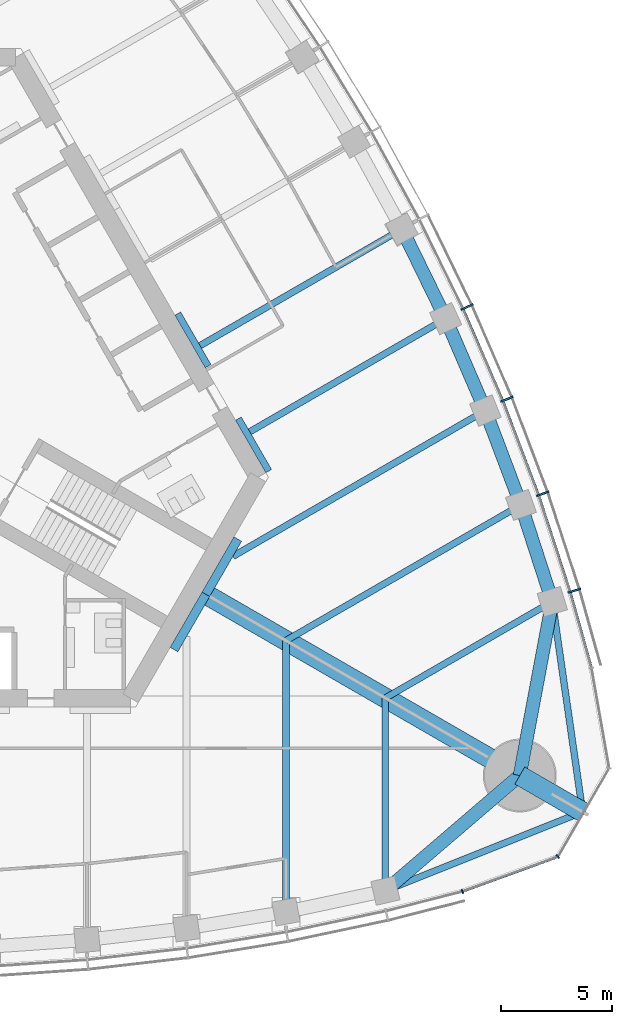
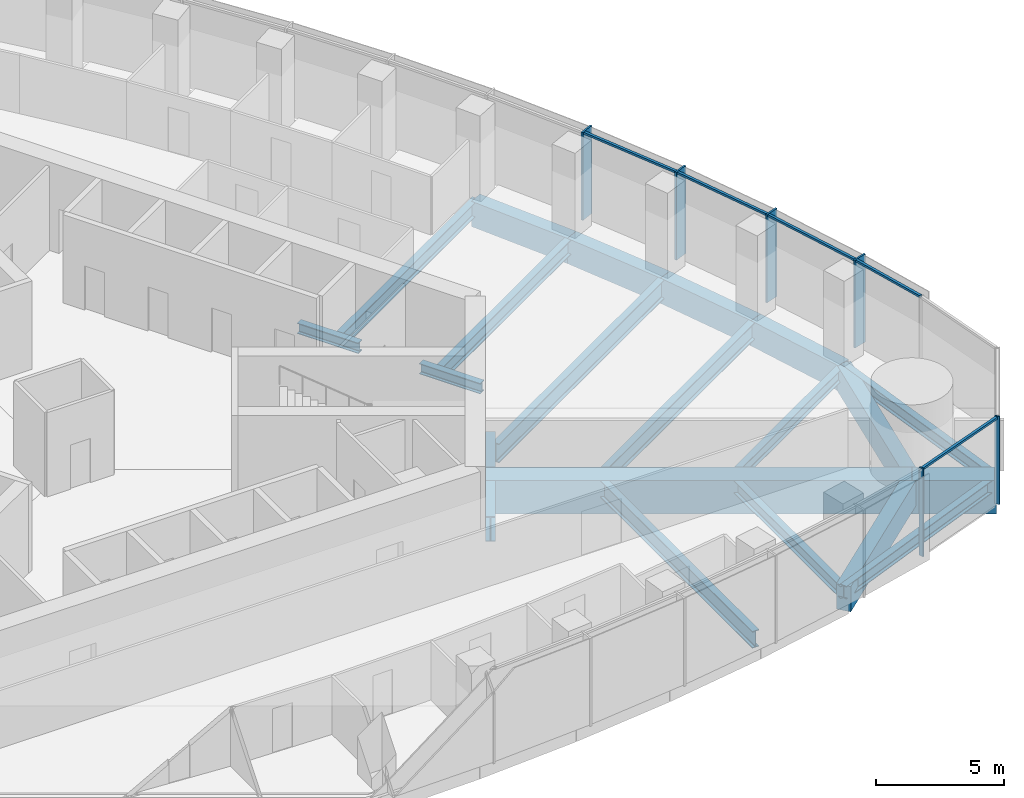
# One storey, part 4 of 20: 21 beams, 11 members, 2 elements without a shape of their own.
"""IFC4 building model written with IfcOpenShell, lengths in metres."""

from ifc_helpers import new_model, si_unit, direction, frame, origin, origin_2d, place, context, subcontext, project, spatial, rectangle, i_section, extrude, material, material_profile, profile_set, type_object, element, aggregate, save


model = new_model("IFC4")

# Units and contexts
model_context = context("Model", 3, precision=1e-05, world=origin(), true_north=direction((0.0, 1.0)))
body_context = subcontext(model_context, "Body", "Model", "MODEL_VIEW")
ifc_project = project(units=[si_unit("LENGTHUNIT", "METRE"), si_unit("AREAUNIT", "SQUARE_METRE"), si_unit("VOLUMEUNIT", "CUBIC_METRE"), si_unit("PLANEANGLEUNIT", "RADIAN"), si_unit("MASSUNIT", "GRAM", prefix="KILO")], contexts=[model_context])

# Site, building, storey
site_placement = place(None, origin())
site = spatial("IfcSite", under=ifc_project, at=site_placement, CompositionType="ELEMENT")
building_placement = place(site_placement, origin())
building = spatial("IfcBuilding", under=site, at=building_placement, Name="Trefoil Bronze Tower", CompositionType="ELEMENT")
storey_placement = place(building_placement, frame((0.0, 0.0, 219.10009765625)))
storey = spatial("IfcBuildingStorey", under=building, at=storey_placement, Name="L50", CompositionType="ELEMENT", Elevation=219.10009765625)

# Curtain wall, members
ifc_material_1 = material(Name="Tinted solar-control glass", Category="glass")
curtain_wall_type_1 = type_object("IfcCurtainWallType", Name="Bronze office curtain wall", PredefinedType="USERDEFINED", material=ifc_material_1)
curtain_wall_1_placement = place(storey_placement, origin())
curtain_wall_1 = element("IfcCurtainWall", 1, at=curtain_wall_1_placement, inside=storey, type_object=curtain_wall_type_1, Name="CW-A L50 F2", ObjectType="CURTAIN WALL", PredefinedType="USERDEFINED")
ifc_material_2 = material(Name="Bronze-finish aluminium", Category="aluminium")
ifc_material_profile_1 = material_profile(ifc_material_2, rectangle(XDim=0.60009765625, YDim=0.080078125, at=origin_2d()), Name="CW-A mullion")
ifc_profile_set_1 = profile_set([ifc_material_profile_1], Name="Bronze-finish aluminium")
member_type_1 = type_object("IfcMemberType", Name="Bronze office curtain wall mullion", PredefinedType="MULLION", material=ifc_profile_set_1)
member_1_placement = place(storey_placement, frame((31.05029296875, -8.132568359375, 0.0), z_axis=(0.0, 0.0, 1.0), x_axis=(-0.95694224323, -0.290278389002, 0.0)))
member_1 = element("IfcMember", 2, at=member_1_placement, type_object=member_type_1, Name="CW-A L50 F2 mullion 2", PredefinedType="MULLION", context=body_context, shape_type="SweptSolid", body=[
    extrude(rectangle(XDim=0.60009765625, YDim=0.080078125, at=origin_2d()), origin(), (0.0, 0.0, 1.0), 4.179931640625),
])
member_2_placement = place(storey_placement, frame((29.619873046875, -3.747314453125, 0.0), z_axis=(0.0, 0.0, 1.0), x_axis=(-0.943180077746, -0.332282020191, 0.0)))
member_2 = element("IfcMember", 3, at=member_2_placement, type_object=member_type_1, Name="CW-A L50 F2 mullion 3", PredefinedType="MULLION", context=body_context, shape_type="SweptSolid", body=[
    extrude(rectangle(XDim=0.60009765625, YDim=0.080078125, at=origin_2d()), origin(), (0.0, 0.0, 1.0), 4.179931640625),
])
member_3_placement = place(storey_placement, frame((27.999755859375, 0.529541015625, 0.0), z_axis=(0.0, 0.0, 1.0), x_axis=(-0.926689348282, -0.375828221106, 0.0)))
member_3 = element("IfcMember", 4, at=member_3_placement, type_object=member_type_1, Name="CW-A L50 F2 mullion 4", PredefinedType="MULLION", context=body_context, shape_type="SweptSolid", body=[
    extrude(rectangle(XDim=0.60009765625, YDim=0.080078125, at=origin_2d()), origin(), (0.0, 0.0, 1.0), 4.179931640625),
])
member_4_placement = place(storey_placement, frame((26.19482421875, 4.699462890625, 0.0), z_axis=(0.0, 0.0, 1.0), x_axis=(-0.908315380354, -0.418285990457, 0.0)))
member_4 = element("IfcMember", 5, at=member_4_placement, type_object=member_type_1, Name="CW-A L50 F2 mullion 5", PredefinedType="MULLION", context=body_context, shape_type="SweptSolid", body=[
    extrude(rectangle(XDim=0.60009765625, YDim=0.080078125, at=origin_2d()), origin(), (0.0, 0.0, 1.0), 4.179931640625),
])
ifc_material_3 = material(Name="Bronze-finish aluminium", Category="aluminium")
ifc_material_profile_2 = material_profile(ifc_material_3, rectangle(XDim=0.1201171875, YDim=0.10009765625, at=origin_2d()), Name="CW-A transom")
ifc_profile_set_2 = profile_set([ifc_material_profile_2], Name="Bronze-finish aluminium")
member_type_2 = type_object("IfcMemberType", Name="Bronze office curtain wall transom", PredefinedType="USERDEFINED", material=ifc_profile_set_2)
member_5_placement = place(storey_placement, frame((31.81201171875, -11.585205078125, 4.1298828125), z_axis=(-0.270284880437, 0.962780392097, 0.0), x_axis=(-0.962780392097, -0.270284880437, 0.0)))
member_5 = element("IfcMember", 6, at=member_5_placement, type_object=member_type_2, Name="CW-A L50 F2 transom 1", ObjectType="TRANSOM", PredefinedType="USERDEFINED", context=body_context, shape_type="SweptSolid", body=[
    extrude(rectangle(XDim=0.1201171875, YDim=0.10009765625, at=origin_2d()), origin(), (0.0, 0.0, 1.0), 3.48388671875),
])
member_6_placement = place(storey_placement, frame((30.845947265625, -8.150634765625, 4.1298828125), z_axis=(-0.310127806788, 0.950694874004, 0.0), x_axis=(-0.950694874004, -0.310127806788, 0.0)))
member_6 = element("IfcMember", 7, at=member_6_placement, type_object=member_type_2, Name="CW-A L50 F2 transom 2", ObjectType="TRANSOM", PredefinedType="USERDEFINED", context=body_context, shape_type="SweptSolid", body=[
    extrude(rectangle(XDim=0.1201171875, YDim=0.10009765625, at=origin_2d()), origin(), (0.0, 0.0, 1.0), 4.51953125),
])
member_7_placement = place(storey_placement, frame((29.416259765625, -3.774169921875, 4.1298828125), z_axis=(-0.354263170896, 0.935145767112, 0.0), x_axis=(-0.935145767112, -0.354263170896, 0.0)))
member_7 = element("IfcMember", 8, at=member_7_placement, type_object=member_type_2, Name="CW-A L50 F2 transom 3", ObjectType="TRANSOM", PredefinedType="USERDEFINED", context=body_context, shape_type="SweptSolid", body=[
    extrude(rectangle(XDim=0.1201171875, YDim=0.10009765625, at=origin_2d()), origin(), (0.0, 0.0, 1.0), 4.4794921875),
])
member_8_placement = place(storey_placement, frame((27.797607421875, 0.4931640625, 4.1298828125), z_axis=(-0.397220936772, 0.917723012346, 0.0), x_axis=(-0.917723012346, -0.397220936772, 0.0)))
member_8 = element("IfcMember", 9, at=member_8_placement, type_object=member_type_2, Name="CW-A L50 F2 transom 4", ObjectType="TRANSOM", PredefinedType="USERDEFINED", context=body_context, shape_type="SweptSolid", body=[
    extrude(rectangle(XDim=0.1201171875, YDim=0.10009765625, at=origin_2d()), origin(), (0.0, 0.0, 1.0), 4.449951171875),
])
aggregate(curtain_wall_1, [member_1, member_2, member_3, member_4, member_5, member_6, member_7, member_8])

ifc_material_4 = material(Name="Tinted solar-control glass", Category="glass")
curtain_wall_type_2 = type_object("IfcCurtainWallType", Name="Bronze rounded corner curtain wall", PredefinedType="USERDEFINED", material=ifc_material_4)
curtain_wall_2_placement = place(storey_placement, origin())
curtain_wall_2 = element("IfcCurtainWall", 10, at=curtain_wall_2_placement, inside=storey, type_object=curtain_wall_type_2, Name="CW-B L50 K1", ObjectType="CURTAIN WALL", PredefinedType="USERDEFINED")
ifc_material_5 = material(Name="Bronze-finish aluminium", Category="aluminium")
ifc_material_profile_3 = material_profile(ifc_material_5, rectangle(XDim=0.199951171875, YDim=0.06005859375, at=origin_2d()), Name="CW-B mullion")
ifc_profile_set_3 = profile_set([ifc_material_profile_3], Name="Bronze-finish aluminium")
member_type_3 = type_object("IfcMemberType", Name="Bronze rounded corner curtain wall mullion", PredefinedType="MULLION", material=ifc_profile_set_3)
member_9_placement = place(storey_placement, frame((25.9873046875, -21.74462890625, 0.0), z_axis=(0.0, 0.0, 1.0), x_axis=(-0.342020143326, 0.939692620786, 0.0)))
member_9 = element("IfcMember", 11, at=member_9_placement, type_object=member_type_3, Name="CW-B L50 K1 mullion 1", PredefinedType="MULLION", context=body_context, shape_type="SweptSolid", body=[
    extrude(rectangle(XDim=0.199951171875, YDim=0.06005859375, at=origin_2d()), origin(), (0.0, 0.0, 1.0), 4.179931640625),
])
member_10_placement = place(storey_placement, frame((30.302490234375, -20.16748046875, 0.0), z_axis=(0.0, 0.0, 1.0), x_axis=(-0.642787609687, 0.766044443119, 0.0)))
member_10 = element("IfcMember", 12, at=member_10_placement, type_object=member_type_3, Name="CW-B L50 K1 mullion 2", PredefinedType="MULLION", context=body_context, shape_type="SweptSolid", body=[
    extrude(rectangle(XDim=0.199951171875, YDim=0.06005859375, at=origin_2d()), origin(), (0.0, 0.0, 1.0), 4.179931640625),
])
ifc_material_6 = material(Name="Bronze-finish aluminium", Category="aluminium")
ifc_material_profile_4 = material_profile(ifc_material_6, rectangle(XDim=0.1201171875, YDim=0.10009765625, at=origin_2d()), Name="CW-B transom")
ifc_profile_set_4 = profile_set([ifc_material_profile_4], Name="Bronze-finish aluminium")
member_type_4 = type_object("IfcMemberType", Name="Bronze rounded corner curtain wall transom", PredefinedType="USERDEFINED", material=ifc_profile_set_4)
member_11_placement = place(storey_placement, frame((26.015380859375, -21.734375, 4.1298828125), z_axis=(0.939680910753, 0.342052314664, 0.0), x_axis=(-0.342052314664, 0.939680910753, 0.0)))
member_11 = element("IfcMember", 13, at=member_11_placement, type_object=member_type_4, Name="CW-B L50 K1 transom 1", ObjectType="TRANSOM", PredefinedType="USERDEFINED", context=body_context, shape_type="SweptSolid", body=[
    extrude(rectangle(XDim=0.1201171875, YDim=0.10009765625, at=origin_2d()), origin(), (0.0, 0.0, 1.0), 4.500244140625),
])
aggregate(curtain_wall_2, [member_9, member_10, member_11])

# Beams
ifc_material_7 = material(Name="Steel C355", Category="steel")
ifc_material_profile_5 = material_profile(ifc_material_7, i_section(OverallWidth=0.300048828125, OverallDepth=0.5, WebThickness=0.014404296875, FlangeThickness=0.028076171875, FilletRadius=0.027099609375, at=origin_2d()), Name="HEB 500")
ifc_profile_set_5 = profile_set([ifc_material_profile_5], Name="Steel C355")
beam_type_1 = type_object("IfcBeamType", Name="Core seat beam HEB 500", PredefinedType="BEAM", material=ifc_profile_set_5)
for number, where, z_axis, x_axis, name in (
    (14, (17.219482421875, -2.72509765625, -0.4501953125), (-0.500035825175, 0.866004719122, 0.0), (-0.866004719122, -0.500035825175, 0.0), "Core seat beam F2/-2 L50"),
    (15, (14.47705078125, 2.02490234375, -0.4501953125), (-0.499969057507, 0.866043267704, 0.0), (-0.866043267704, -0.499969057507, 0.0), "Core seat beam F2/-1 L50"),
):
    element("IfcBeam", number, at=place(storey_placement, frame(where, z_axis=z_axis, x_axis=x_axis)), inside=storey, type_object=beam_type_1, Name=name, PredefinedType="BEAM", context=body_context, shape_type="SweptSolid", body=[
        extrude(i_section(OverallWidth=0.300048828125, OverallDepth=0.5, WebThickness=0.014404296875, FlangeThickness=0.028076171875, FilletRadius=0.027099609375, at=origin_2d()), origin(), (0.0, 0.0, 1.0), 2.742431640625),
    ])
ifc_material_8 = material(Name="Steel C355", Category="steel")
ifc_material_profile_6 = material_profile(ifc_material_8, i_section(OverallWidth=0.39990234375, OverallDepth=1.199951171875, WebThickness=0.02001953125, FlangeThickness=0.0400390625, FilletRadius=0.010009765625, at=origin_2d()), Name="WPG 1200")
ifc_profile_set_6 = profile_set([ifc_material_profile_6], Name="Steel C355")
beam_type_2 = type_object("IfcBeamType", Name="Core seat beam WPG 1200", PredefinedType="BEAM", material=ifc_profile_set_6)
for number, where, z_axis, x_axis, name in (
    (16, (12.9326171875, -10.800048828125, -0.800048828125), (0.499995765644, 0.866027848477, 0.0), (-0.866027848477, 0.499995765644, 0.0), "Core seat beam F1/+3 L50"),
    (17, (14.3759765625, -8.300048828125, -0.800048828125), (0.499995765644, 0.866027848477, 0.0), (-0.866027848477, 0.499995765644, 0.0), "Core seat beam F2/-3 L50"),
):
    element("IfcBeam", number, at=place(storey_placement, frame(where, z_axis=z_axis, x_axis=x_axis)), inside=storey, type_object=beam_type_2, Name=name, PredefinedType="BEAM", context=body_context, shape_type="SweptSolid", body=[
        extrude(i_section(OverallWidth=0.39990234375, OverallDepth=1.199951171875, WebThickness=0.02001953125, FlangeThickness=0.0400390625, FilletRadius=0.010009765625, at=origin_2d()), origin(), (0.0, 0.0, 1.0), 2.88671875),
    ])
ifc_material_9 = material(Name="Concrete B80", Category="concrete")
ifc_material_profile_7 = material_profile(ifc_material_9, rectangle(XDim=0.89990234375, YDim=1.60009765625, at=origin_2d()), Name="RC 900x1600")
ifc_profile_set_7 = profile_set([ifc_material_profile_7], Name="Concrete B80")
beam_type_3 = type_object("IfcBeamType", Name="Corner cantilever RC 900x1600", PredefinedType="BEAM", material=ifc_profile_set_7)
beam_1_placement = place(storey_placement, frame((28.578857421875, -16.5, -1.0), z_axis=(0.866016004958, -0.500016278891, 0.0), x_axis=(0.500016278891, 0.866016004958, 0.0)))
element("IfcBeam", 18, at=beam_1_placement, inside=storey, type_object=beam_type_3, Name="Corner cantilever K1 L50", PredefinedType="BEAM", context=body_context, shape_type="SweptSolid", body=[
    extrude(rectangle(XDim=0.89990234375, YDim=1.60009765625, at=origin_2d()), origin(), (0.0, 0.0, 1.0), 3.28466796875),
])
ifc_material_10 = material(Name="Steel C355", Category="steel")
ifc_material_profile_8 = material_profile(ifc_material_10, i_section(OverallWidth=0.300048828125, OverallDepth=0.60009765625, WebThickness=0.015380859375, FlangeThickness=0.030029296875, FilletRadius=0.027099609375, at=origin_2d()), Name="HEB 600")
ifc_profile_set_8 = profile_set([ifc_material_profile_8], Name="Steel C355")
beam_type_4 = type_object("IfcBeamType", Name="Corner edge beam HEB 600", PredefinedType="BEAM", material=ifc_profile_set_8)
for number, where, z_axis, x_axis, name in (
    (19, (22.5, -21.71044921875, -0.5), (0.92852048463, 0.371281173266, 0.0), (-0.371281173266, 0.92852048463, 0.0), "Corner edge beam F1A L50"),
    (20, (30.052001953125, -8.63037109375, -0.5), (0.142694489722, -0.989766781925, 0.0), (0.989766781925, 0.142694489722, 0.0), "Corner edge beam F2B L50"),
):
    element("IfcBeam", number, at=place(storey_placement, frame(where, z_axis=z_axis, x_axis=x_axis)), inside=storey, type_object=beam_type_4, Name=name, PredefinedType="BEAM", context=body_context, shape_type="SweptSolid", body=[
        extrude(i_section(OverallWidth=0.300048828125, OverallDepth=0.60009765625, WebThickness=0.015380859375, FlangeThickness=0.030029296875, FilletRadius=0.027099609375, at=origin_2d()), origin(), (0.0, 0.0, 1.0), 9.6103515625),
    ])
ifc_material_11 = material(Name="Concrete B80", Category="concrete")
ifc_material_profile_9 = material_profile(ifc_material_11, rectangle(XDim=0.89990234375, YDim=1.60009765625, at=origin_2d()), Name="RC 900x1600")
ifc_profile_set_9 = profile_set([ifc_material_profile_9], Name="Concrete B80")
beam_type_5 = type_object("IfcBeamType", Name="Corner girder RC 900x1600", PredefinedType="BEAM", material=ifc_profile_set_9)
beam_2_placement = place(storey_placement, frame((14.202880859375, -8.199951171875, -1.0), z_axis=(0.866023450265, -0.500003383579, 0.0), x_axis=(0.500003383579, 0.866023450265, 0.0)))
element("IfcBeam", 21, at=beam_2_placement, inside=storey, type_object=beam_type_5, Name="Corner girder K1 L50", PredefinedType="BEAM", context=body_context, shape_type="SweptSolid", body=[
    extrude(rectangle(XDim=0.89990234375, YDim=1.60009765625, at=origin_2d()), origin(), (0.0, 0.0, 1.0), 16.60009765625),
])
ifc_material_12 = material(Name="Concrete B80", Category="concrete")
ifc_material_profile_10 = material_profile(ifc_material_12, rectangle(XDim=0.60009765625, YDim=1.199951171875, at=origin_2d()), Name="RC 600x1200")
ifc_profile_set_10 = profile_set([ifc_material_profile_10], Name="Concrete B80")
beam_type_6 = type_object("IfcBeamType", Name="End spandrel beam RC 600x1200", PredefinedType="SPANDREL", material=ifc_profile_set_10)
for number, where, z_axis, x_axis, name in (
    (22, (22.5, -21.71044921875, -0.800048828125), (0.759256602365, 0.650791373456, 0.0), (-0.650791373456, 0.759256602365, 0.0), "Spandrel F1.12 L50"),
    (23, (28.578857421875, -16.5, -0.800048828125), (0.18399763073, 0.982926686933, 0.0), (-0.982926686933, 0.18399763073, 0.0), "Spandrel F2.1 L50"),
):
    element("IfcBeam", number, at=place(storey_placement, frame(where, z_axis=z_axis, x_axis=x_axis)), inside=storey, type_object=beam_type_6, Name=name, PredefinedType="SPANDREL", context=body_context, shape_type="SweptSolid", body=[
        extrude(rectangle(XDim=0.60009765625, YDim=1.199951171875, at=origin_2d()), origin(), (0.0, 0.0, 1.0), 8.00634765625),
    ])
ifc_material_13 = material(Name="Steel C355", Category="steel")
ifc_material_profile_11 = material_profile(ifc_material_13, i_section(OverallWidth=0.300048828125, OverallDepth=0.590087890625, WebThickness=0.012939453125, FlangeThickness=0.02490234375, FilletRadius=0.027099609375, at=origin_2d()), Name="HEA 600")
ifc_profile_set_11 = profile_set([ifc_material_profile_11], Name="Steel C355")
beam_type_7 = type_object("IfcBeamType", Name="Floor beam HEA 600", PredefinedType="BEAM", material=ifc_profile_set_11)
beam_3_placement = place(storey_placement, frame((22.5, -21.71044921875, -0.4951171875), z_axis=(0.0, 1.0, 0.0), x_axis=(-1.0, 0.0, 0.0)))
element("IfcBeam", 24, at=beam_3_placement, inside=storey, type_object=beam_type_7, Name="Floor beam F1/+5 L50", PredefinedType="BEAM", context=body_context, shape_type="SweptSolid", body=[
    extrude(i_section(OverallWidth=0.300048828125, OverallDepth=0.590087890625, WebThickness=0.012939453125, FlangeThickness=0.02490234375, FilletRadius=0.027099609375, at=origin_2d()), origin(), (0.0, 0.0, 1.0), 8.719970703125),
])
beam_4_placement = place(storey_placement, frame((30.052001953125, -8.63037109375, -0.4951171875), z_axis=(-0.866027535932, -0.499996306993, 0.0), x_axis=(0.499996306993, -0.866027535932, 0.0)))
element("IfcBeam", 25, at=beam_4_placement, inside=storey, type_object=beam_type_7, Name="Floor beam F2/-5 L50", PredefinedType="BEAM", context=body_context, shape_type="SweptSolid", body=[
    extrude(i_section(OverallWidth=0.300048828125, OverallDepth=0.590087890625, WebThickness=0.012939453125, FlangeThickness=0.02490234375, FilletRadius=0.027099609375, at=origin_2d()), origin(), (0.0, 0.0, 1.0), 8.72021484375),
])
ifc_material_14 = material(Name="Steel C355", Category="steel")
ifc_material_profile_12 = material_profile(ifc_material_14, i_section(OverallWidth=0.300048828125, OverallDepth=0.699951171875, WebThickness=0.01708984375, FlangeThickness=0.031982421875, FilletRadius=0.027099609375, at=origin_2d()), Name="HEB 700")
ifc_profile_set_12 = profile_set([ifc_material_profile_12], Name="Steel C355")
beam_type_8 = type_object("IfcBeamType", Name="Floor beam HEB 700", PredefinedType="BEAM", material=ifc_profile_set_12)
beam_5_placement = place(storey_placement, frame((25.2265625, 4.17236328125, -0.550048828125), z_axis=(-0.866017525653, -0.500013645076, 0.0), x_axis=(0.500013645076, -0.866017525653, 0.0)))
element("IfcBeam", 26, at=beam_5_placement, inside=storey, type_object=beam_type_8, Name="Floor beam F2/-2 L50", PredefinedType="BEAM", context=body_context, shape_type="SweptSolid", body=[
    extrude(i_section(OverallWidth=0.300048828125, OverallDepth=0.699951171875, WebThickness=0.01708984375, FlangeThickness=0.031982421875, FilletRadius=0.027099609375, at=origin_2d()), origin(), (0.0, 0.0, 1.0), 10.233154296875),
])
beam_6_placement = place(storey_placement, frame((23.248046875, 8.22607421875, -0.550048828125), z_axis=(-0.866027918957, -0.499995643569, 0.0), x_axis=(0.499995643569, -0.866027918957, 0.0)))
element("IfcBeam", 27, at=beam_6_placement, inside=storey, type_object=beam_type_8, Name="Floor beam F2/-1 L50", PredefinedType="BEAM", context=body_context, shape_type="SweptSolid", body=[
    extrude(i_section(OverallWidth=0.300048828125, OverallDepth=0.699951171875, WebThickness=0.01708984375, FlangeThickness=0.031982421875, FilletRadius=0.027099609375, at=origin_2d()), origin(), (0.0, 0.0, 1.0), 10.54638671875),
])
ifc_material_15 = material(Name="Steel C355", Category="steel")
ifc_material_profile_13 = material_profile(ifc_material_15, i_section(OverallWidth=0.300048828125, OverallDepth=0.800048828125, WebThickness=0.017578125, FlangeThickness=0.032958984375, FilletRadius=0.030029296875, at=origin_2d()), Name="HEB 800")
ifc_profile_set_13 = profile_set([ifc_material_profile_13], Name="Steel C355")
beam_type_9 = type_object("IfcBeamType", Name="Floor beam HEB 800", PredefinedType="BEAM", material=ifc_profile_set_13)
beam_7_placement = place(storey_placement, frame((18.0, -22.6689453125, -0.60009765625), z_axis=(0.0, 1.0, 0.0), x_axis=(-1.0, 0.0, 0.0)))
element("IfcBeam", 28, at=beam_7_placement, inside=storey, type_object=beam_type_9, Name="Floor beam F1/+4 L50", PredefinedType="BEAM", context=body_context, shape_type="SweptSolid", body=[
    extrude(i_section(OverallWidth=0.300048828125, OverallDepth=0.800048828125, WebThickness=0.017578125, FlangeThickness=0.032958984375, FilletRadius=0.030029296875, at=origin_2d()), origin(), (0.0, 0.0, 1.0), 12.276611328125),
])
beam_8_placement = place(storey_placement, frame((28.632080078125, -4.25390625, -0.60009765625), z_axis=(-0.866025635187, -0.499999599199, 0.0), x_axis=(0.499999599199, -0.866025635187, 0.0)))
element("IfcBeam", 29, at=beam_8_placement, inside=storey, type_object=beam_type_9, Name="Floor beam F2/-4 L50", PredefinedType="BEAM", context=body_context, shape_type="SweptSolid", body=[
    extrude(i_section(OverallWidth=0.300048828125, OverallDepth=0.800048828125, WebThickness=0.017578125, FlangeThickness=0.032958984375, FilletRadius=0.030029296875, at=origin_2d()), origin(), (0.0, 0.0, 1.0), 12.27685546875),
])
ifc_material_16 = material(Name="Steel C355", Category="steel")
ifc_material_profile_14 = material_profile(ifc_material_16, i_section(OverallWidth=0.300048828125, OverallDepth=0.89990234375, WebThickness=0.0185546875, FlangeThickness=0.034912109375, FilletRadius=0.030029296875, at=origin_2d()), Name="HEB 900")
ifc_profile_set_14 = profile_set([ifc_material_profile_14], Name="Steel C355")
beam_type_10 = type_object("IfcBeamType", Name="Floor beam HEB 900", PredefinedType="BEAM", material=ifc_profile_set_14)
beam_9_placement = place(storey_placement, frame((27.022216796875, 0.012939453125, -0.650146484375), z_axis=(-0.866020385251, -0.500008692254, 0.0), x_axis=(0.500008692254, -0.866020385251, 0.0)))
element("IfcBeam", 30, at=beam_9_placement, inside=storey, type_object=beam_type_10, Name="Floor beam F2/-3 L50", PredefinedType="BEAM", context=body_context, shape_type="SweptSolid", body=[
    extrude(i_section(OverallWidth=0.300048828125, OverallDepth=0.89990234375, WebThickness=0.0185546875, FlangeThickness=0.034912109375, FilletRadius=0.030029296875, at=origin_2d()), origin(), (0.0, 0.0, 1.0), 13.191162109375),
])
ifc_material_17 = material(Name="Concrete B80", Category="concrete")
ifc_material_profile_15 = material_profile(ifc_material_17, rectangle(XDim=0.60009765625, YDim=1.199951171875, at=origin_2d()), Name="RC 600x1200")
ifc_profile_set_15 = profile_set([ifc_material_profile_15], Name="Concrete B80")
beam_type_11 = type_object("IfcBeamType", Name="Spandrel beam RC 600x1200", PredefinedType="SPANDREL", material=ifc_profile_set_15)
beam_10_placement = place(storey_placement, frame((30.052001953125, -8.63037109375, -0.800048828125), z_axis=(-0.308608505504, 0.951189145402, 0.0), x_axis=(-0.951189145402, -0.308608505504, 0.0)))
element("IfcBeam", 31, at=beam_10_placement, inside=storey, type_object=beam_type_11, Name="Spandrel F2.2 L50", PredefinedType="SPANDREL", context=body_context, shape_type="SweptSolid", body=[
    extrude(rectangle(XDim=0.60009765625, YDim=1.199951171875, at=origin_2d()), origin(), (0.0, 0.0, 1.0), 4.60107421875),
])
beam_11_placement = place(storey_placement, frame((28.632080078125, -4.25390625, -0.800048828125), z_axis=(-0.353005969632, 0.935621069346, 0.0), x_axis=(-0.935621069346, -0.353005969632, 0.0)))
element("IfcBeam", 32, at=beam_11_placement, inside=storey, type_object=beam_type_11, Name="Spandrel F2.3 L50", PredefinedType="SPANDREL", context=body_context, shape_type="SweptSolid", body=[
    extrude(rectangle(XDim=0.60009765625, YDim=1.199951171875, at=origin_2d()), origin(), (0.0, 0.0, 1.0), 4.560546875),
])
beam_12_placement = place(storey_placement, frame((27.022216796875, 0.012939453125, -0.800048828125), z_axis=(-0.396350337164, 0.918099346602, 0.0), x_axis=(-0.918099346602, -0.396350337164, 0.0)))
element("IfcBeam", 33, at=beam_12_placement, inside=storey, type_object=beam_type_11, Name="Spandrel F2.4 L50", PredefinedType="SPANDREL", context=body_context, shape_type="SweptSolid", body=[
    extrude(rectangle(XDim=0.60009765625, YDim=1.199951171875, at=origin_2d()), origin(), (0.0, 0.0, 1.0), 4.530517578125),
])
beam_13_placement = place(storey_placement, frame((25.2265625, 4.17236328125, -0.800048828125), z_axis=(-0.438619830351, 0.898672712629, 0.0), x_axis=(-0.898672712629, -0.438619830351, 0.0)))
element("IfcBeam", 34, at=beam_13_placement, inside=storey, type_object=beam_type_11, Name="Spandrel F2.5 L50", PredefinedType="SPANDREL", context=body_context, shape_type="SweptSolid", body=[
    extrude(rectangle(XDim=0.60009765625, YDim=1.199951171875, at=origin_2d()), origin(), (0.0, 0.0, 1.0), 4.5107421875),
])

save(model, "model.ifc")
